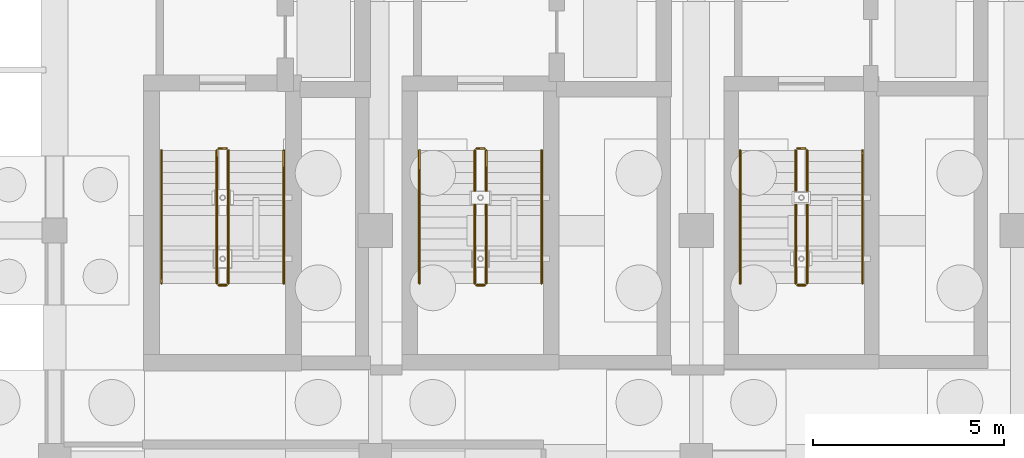
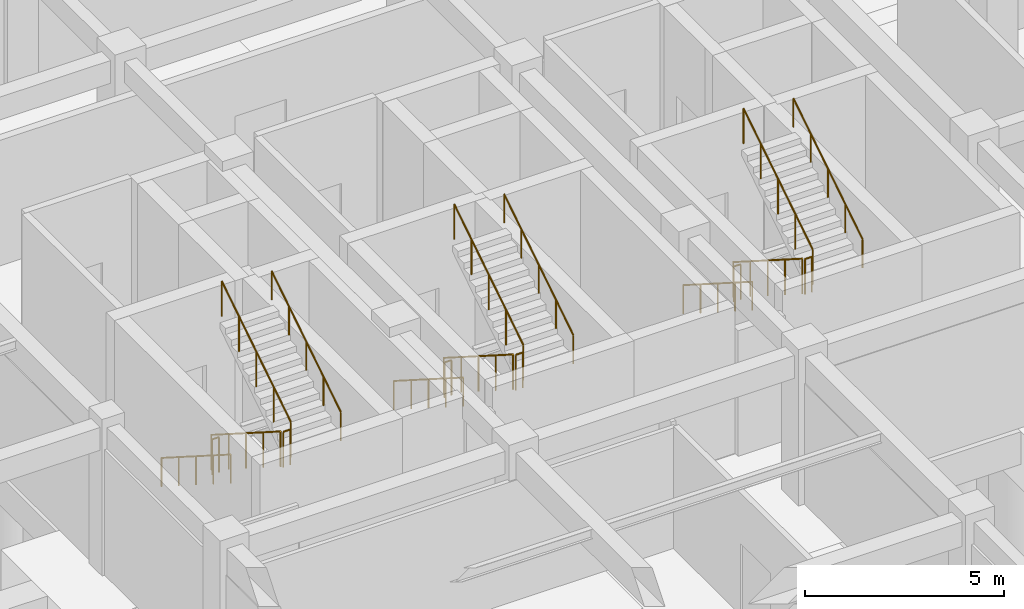
# One storey, part 48 of 49: 18 railings.
"""IFC4 building model written with IfcOpenShell, lengths in metres."""

from ifc_helpers import new_model, si_unit, direction, frame, origin, origin_2d, place, context, subcontext, project, spatial, circle, extrude, material, type_object, element, save


model = new_model("IFC4")

# Units and contexts
model_context = context("Model", 3, precision=1e-05, world=origin(), true_north=direction((0.0, 1.0)))
body_context = subcontext(model_context, "Body", "Model", "MODEL_VIEW")
ifc_project = project(units=[si_unit("LENGTHUNIT", "METRE"), si_unit("AREAUNIT", "SQUARE_METRE"), si_unit("VOLUMEUNIT", "CUBIC_METRE"), si_unit("PLANEANGLEUNIT", "RADIAN"), si_unit("MASSUNIT", "GRAM", prefix="KILO")], contexts=[model_context])

# Site, building, storey
site_placement = place(None, origin())
site = spatial("IfcSite", under=ifc_project, at=site_placement, CompositionType="ELEMENT")
building_placement = place(site_placement, origin())
building = spatial("IfcBuilding", under=site, at=building_placement, Name="Krzemoval Escarpment Law Courts", CompositionType="ELEMENT")
storey_placement = place(building_placement, frame((0.0, 0.0, -4.800048828125)))
storey = spatial("IfcBuildingStorey", under=building, at=storey_placement, Name="B1", CompositionType="ELEMENT", Elevation=-4.800048828125)

# Railings
ifc_material_1 = material(Name="Galvanised Steel S355", Category="steel")
railing_type_1 = type_object("IfcRailingType", Name="RL-GRD-1100", PredefinedType="GUARDRAIL", material=ifc_material_1)
railing_1_placement = place(storey_placement, frame((130.25, 101.699951171875, 0.1845703125)))
element("IfcRailing", 1, at=railing_1_placement, inside=storey, type_object=railing_type_1, Name="B1 ST1 stair guard 1", PredefinedType="GUARDRAIL", context=body_context, shape_type="SweptSolid", body=[
    extrude(circle(Radius=0.02392578125, at=origin_2d()), frame((0.0, 0.0, 1.076171875), z_axis=(0.0, -0.843546938479, 0.53705545578), x_axis=(1.0, 0.0, 0.0)), (0.0, 0.0, 1.0), 4.12548828125),
    extrude(circle(Radius=0.02099609375, at=origin_2d()), origin(), (0.0, 0.0, 1.0), 1.052001953125),
    extrude(circle(Radius=0.02099609375, at=origin_2d()), frame((0.0, -0.8701171875, 0.553955078125)), (0.0, 0.0, 1.0), 1.052001953125),
    extrude(circle(Radius=0.02099609375, at=origin_2d()), frame((0.0, -1.739990234375, 1.10791015625)), (0.0, 0.0, 1.0), 1.052001953125),
    extrude(circle(Radius=0.02099609375, at=origin_2d()), frame((0.0, -2.60986328125, 1.66162109375)), (0.0, 0.0, 1.0), 1.052001953125),
    extrude(circle(Radius=0.02099609375, at=origin_2d()), frame((0.0, -3.47998046875, 2.215576171875)), (0.0, 0.0, 1.0), 1.052001953125),
])
railing_2_placement = place(storey_placement, frame((130.300048828125, 98.169921875, 2.400146484375)))
element("IfcRailing", 2, at=railing_2_placement, inside=storey, type_object=railing_type_1, Name="B1 ST1 stair guard 2", PredefinedType="GUARDRAIL", context=body_context, shape_type="SweptSolid", body=[
    extrude(circle(Radius=0.02392578125, at=origin_2d()), frame((0.0, 0.0, 1.076171875), z_axis=(1.0, 0.0, 0.0), x_axis=(0.0, 1.0, 0.0)), (0.0, 0.0, 1.0), 0.199951171875),
    extrude(circle(Radius=0.02099609375, at=origin_2d()), origin(), (0.0, 0.0, 1.0), 1.052001953125),
    extrude(circle(Radius=0.02099609375, at=origin_2d()), frame((0.199951171875, 0.0, 0.0)), (0.0, 0.0, 1.0), 1.052001953125),
])
railing_3_placement = place(storey_placement, frame((130.550048828125, 98.219970703125, 2.584716796875)))
element("IfcRailing", 3, at=railing_3_placement, inside=storey, type_object=railing_type_1, Name="B1 ST1 stair guard 3", PredefinedType="GUARDRAIL", context=body_context, shape_type="SweptSolid", body=[
    extrude(circle(Radius=0.02392578125, at=origin_2d()), frame((0.0, 0.0, 1.076171875), z_axis=(0.0, 0.843573748531, 0.537013343214), x_axis=(-1.0, 0.0, 0.0)), (0.0, 0.0, 1.0), 4.125244140625),
    extrude(circle(Radius=0.02099609375, at=origin_2d()), origin(), (0.0, 0.0, 1.0), 1.052001953125),
    extrude(circle(Radius=0.02099609375, at=origin_2d()), frame((0.0, 0.8701171875, 0.5537109375)), (0.0, 0.0, 1.0), 1.052001953125),
    extrude(circle(Radius=0.02099609375, at=origin_2d()), frame((0.0, 1.739990234375, 1.107666015625)), (0.0, 0.0, 1.0), 1.052001953125),
    extrude(circle(Radius=0.02099609375, at=origin_2d()), frame((0.0, 2.60986328125, 1.66162109375)), (0.0, 0.0, 1.0), 1.052001953125),
    extrude(circle(Radius=0.02099609375, at=origin_2d()), frame((0.0, 3.47998046875, 2.21533203125)), (0.0, 0.0, 1.0), 1.052001953125),
])
railing_4_placement = place(storey_placement, frame((130.300048828125, 101.75, 0.0)))
element("IfcRailing", 4, at=railing_4_placement, inside=storey, type_object=railing_type_1, Name="B1 ST1 stair guard 4", PredefinedType="GUARDRAIL", context=body_context, shape_type="SweptSolid", body=[
    extrude(circle(Radius=0.02392578125, at=origin_2d()), frame((0.0, 0.0, 1.076171875), z_axis=(1.0, 0.0, 0.0), x_axis=(0.0, 1.0, 0.0)), (0.0, 0.0, 1.0), 0.199951171875),
    extrude(circle(Radius=0.02099609375, at=origin_2d()), origin(), (0.0, 0.0, 1.0), 1.052001953125),
    extrude(circle(Radius=0.02099609375, at=origin_2d()), frame((0.199951171875, 0.0, 0.0)), (0.0, 0.0, 1.0), 1.052001953125),
])
railing_5_placement = place(storey_placement, frame((137.0, 101.699951171875, 0.1845703125)))
element("IfcRailing", 5, at=railing_5_placement, inside=storey, type_object=railing_type_1, Name="B1 ST2 stair guard 1", PredefinedType="GUARDRAIL", context=body_context, shape_type="SweptSolid", body=[
    extrude(circle(Radius=0.02392578125, at=origin_2d()), frame((0.0, 0.0, 1.076171875), z_axis=(0.0, -0.843546938479, 0.53705545578), x_axis=(1.0, 0.0, 0.0)), (0.0, 0.0, 1.0), 4.12548828125),
    extrude(circle(Radius=0.02099609375, at=origin_2d()), origin(), (0.0, 0.0, 1.0), 1.052001953125),
    extrude(circle(Radius=0.02099609375, at=origin_2d()), frame((0.0, -0.8701171875, 0.553955078125)), (0.0, 0.0, 1.0), 1.052001953125),
    extrude(circle(Radius=0.02099609375, at=origin_2d()), frame((0.0, -1.739990234375, 1.10791015625)), (0.0, 0.0, 1.0), 1.052001953125),
    extrude(circle(Radius=0.02099609375, at=origin_2d()), frame((0.0, -2.60986328125, 1.66162109375)), (0.0, 0.0, 1.0), 1.052001953125),
    extrude(circle(Radius=0.02099609375, at=origin_2d()), frame((0.0, -3.47998046875, 2.215576171875)), (0.0, 0.0, 1.0), 1.052001953125),
])
railing_6_placement = place(storey_placement, frame((137.050048828125, 98.169921875, 2.400146484375)))
element("IfcRailing", 6, at=railing_6_placement, inside=storey, type_object=railing_type_1, Name="B1 ST2 stair guard 2", PredefinedType="GUARDRAIL", context=body_context, shape_type="SweptSolid", body=[
    extrude(circle(Radius=0.02392578125, at=origin_2d()), frame((0.0, 0.0, 1.076171875), z_axis=(1.0, 0.0, 0.0), x_axis=(0.0, 1.0, 0.0)), (0.0, 0.0, 1.0), 0.199951171875),
    extrude(circle(Radius=0.02099609375, at=origin_2d()), origin(), (0.0, 0.0, 1.0), 1.052001953125),
    extrude(circle(Radius=0.02099609375, at=origin_2d()), frame((0.199951171875, 0.0, 0.0)), (0.0, 0.0, 1.0), 1.052001953125),
])
railing_7_placement = place(storey_placement, frame((137.300048828125, 98.219970703125, 2.584716796875)))
element("IfcRailing", 7, at=railing_7_placement, inside=storey, type_object=railing_type_1, Name="B1 ST2 stair guard 3", PredefinedType="GUARDRAIL", context=body_context, shape_type="SweptSolid", body=[
    extrude(circle(Radius=0.02392578125, at=origin_2d()), frame((0.0, 0.0, 1.076171875), z_axis=(0.0, 0.843573748531, 0.537013343214), x_axis=(-1.0, 0.0, 0.0)), (0.0, 0.0, 1.0), 4.125244140625),
    extrude(circle(Radius=0.02099609375, at=origin_2d()), origin(), (0.0, 0.0, 1.0), 1.052001953125),
    extrude(circle(Radius=0.02099609375, at=origin_2d()), frame((0.0, 0.8701171875, 0.5537109375)), (0.0, 0.0, 1.0), 1.052001953125),
    extrude(circle(Radius=0.02099609375, at=origin_2d()), frame((0.0, 1.739990234375, 1.107666015625)), (0.0, 0.0, 1.0), 1.052001953125),
    extrude(circle(Radius=0.02099609375, at=origin_2d()), frame((0.0, 2.60986328125, 1.66162109375)), (0.0, 0.0, 1.0), 1.052001953125),
    extrude(circle(Radius=0.02099609375, at=origin_2d()), frame((0.0, 3.47998046875, 2.21533203125)), (0.0, 0.0, 1.0), 1.052001953125),
])
railing_8_placement = place(storey_placement, frame((137.050048828125, 101.75, 0.0)))
element("IfcRailing", 8, at=railing_8_placement, inside=storey, type_object=railing_type_1, Name="B1 ST2 stair guard 4", PredefinedType="GUARDRAIL", context=body_context, shape_type="SweptSolid", body=[
    extrude(circle(Radius=0.02392578125, at=origin_2d()), frame((0.0, 0.0, 1.076171875), z_axis=(1.0, 0.0, 0.0), x_axis=(0.0, 1.0, 0.0)), (0.0, 0.0, 1.0), 0.199951171875),
    extrude(circle(Radius=0.02099609375, at=origin_2d()), origin(), (0.0, 0.0, 1.0), 1.052001953125),
    extrude(circle(Radius=0.02099609375, at=origin_2d()), frame((0.199951171875, 0.0, 0.0)), (0.0, 0.0, 1.0), 1.052001953125),
])
railing_9_placement = place(storey_placement, frame((145.39990234375, 101.699951171875, 0.1845703125)))
element("IfcRailing", 9, at=railing_9_placement, inside=storey, type_object=railing_type_1, Name="B1 ST3 stair guard 1", PredefinedType="GUARDRAIL", context=body_context, shape_type="SweptSolid", body=[
    extrude(circle(Radius=0.02392578125, at=origin_2d()), frame((0.0, 0.0, 1.076171875), z_axis=(0.0, -0.843546938479, 0.53705545578), x_axis=(1.0, 0.0, 0.0)), (0.0, 0.0, 1.0), 4.12548828125),
    extrude(circle(Radius=0.02099609375, at=origin_2d()), origin(), (0.0, 0.0, 1.0), 1.052001953125),
    extrude(circle(Radius=0.02099609375, at=origin_2d()), frame((0.0, -0.8701171875, 0.553955078125)), (0.0, 0.0, 1.0), 1.052001953125),
    extrude(circle(Radius=0.02099609375, at=origin_2d()), frame((0.0, -1.739990234375, 1.10791015625)), (0.0, 0.0, 1.0), 1.052001953125),
    extrude(circle(Radius=0.02099609375, at=origin_2d()), frame((0.0, -2.60986328125, 1.66162109375)), (0.0, 0.0, 1.0), 1.052001953125),
    extrude(circle(Radius=0.02099609375, at=origin_2d()), frame((0.0, -3.47998046875, 2.215576171875)), (0.0, 0.0, 1.0), 1.052001953125),
])
railing_10_placement = place(storey_placement, frame((145.449951171875, 98.169921875, 2.400146484375)))
element("IfcRailing", 10, at=railing_10_placement, inside=storey, type_object=railing_type_1, Name="B1 ST3 stair guard 2", PredefinedType="GUARDRAIL", context=body_context, shape_type="SweptSolid", body=[
    extrude(circle(Radius=0.02392578125, at=origin_2d()), frame((0.0, 0.0, 1.076171875), z_axis=(1.0, 0.0, 0.0), x_axis=(0.0, 1.0, 0.0)), (0.0, 0.0, 1.0), 0.199951171875),
    extrude(circle(Radius=0.02099609375, at=origin_2d()), origin(), (0.0, 0.0, 1.0), 1.052001953125),
    extrude(circle(Radius=0.02099609375, at=origin_2d()), frame((0.199951171875, 0.0, 0.0)), (0.0, 0.0, 1.0), 1.052001953125),
])
railing_11_placement = place(storey_placement, frame((145.699951171875, 98.219970703125, 2.584716796875)))
element("IfcRailing", 11, at=railing_11_placement, inside=storey, type_object=railing_type_1, Name="B1 ST3 stair guard 3", PredefinedType="GUARDRAIL", context=body_context, shape_type="SweptSolid", body=[
    extrude(circle(Radius=0.02392578125, at=origin_2d()), frame((0.0, 0.0, 1.076171875), z_axis=(0.0, 0.843573748531, 0.537013343214), x_axis=(-1.0, 0.0, 0.0)), (0.0, 0.0, 1.0), 4.125244140625),
    extrude(circle(Radius=0.02099609375, at=origin_2d()), origin(), (0.0, 0.0, 1.0), 1.052001953125),
    extrude(circle(Radius=0.02099609375, at=origin_2d()), frame((0.0, 0.8701171875, 0.5537109375)), (0.0, 0.0, 1.0), 1.052001953125),
    extrude(circle(Radius=0.02099609375, at=origin_2d()), frame((0.0, 1.739990234375, 1.107666015625)), (0.0, 0.0, 1.0), 1.052001953125),
    extrude(circle(Radius=0.02099609375, at=origin_2d()), frame((0.0, 2.60986328125, 1.66162109375)), (0.0, 0.0, 1.0), 1.052001953125),
    extrude(circle(Radius=0.02099609375, at=origin_2d()), frame((0.0, 3.47998046875, 2.21533203125)), (0.0, 0.0, 1.0), 1.052001953125),
])
railing_12_placement = place(storey_placement, frame((145.449951171875, 101.75, 0.0)))
element("IfcRailing", 12, at=railing_12_placement, inside=storey, type_object=railing_type_1, Name="B1 ST3 stair guard 4", PredefinedType="GUARDRAIL", context=body_context, shape_type="SweptSolid", body=[
    extrude(circle(Radius=0.02392578125, at=origin_2d()), frame((0.0, 0.0, 1.076171875), z_axis=(1.0, 0.0, 0.0), x_axis=(0.0, 1.0, 0.0)), (0.0, 0.0, 1.0), 0.199951171875),
    extrude(circle(Radius=0.02099609375, at=origin_2d()), origin(), (0.0, 0.0, 1.0), 1.052001953125),
    extrude(circle(Radius=0.02099609375, at=origin_2d()), frame((0.199951171875, 0.0, 0.0)), (0.0, 0.0, 1.0), 1.052001953125),
])
ifc_material_2 = material(Name="Brushed Stainless Steel Grade 304 Handrail", Category="steel")
railing_type_2 = type_object("IfcRailingType", Name="RL-HND-900", PredefinedType="HANDRAIL", material=ifc_material_2)
railing_13_placement = place(storey_placement, frame((128.800048828125, 101.699951171875, 0.1845703125)))
element("IfcRailing", 13, at=railing_13_placement, inside=storey, type_object=railing_type_2, Name="B1 ST1 stair handrail 1", PredefinedType="HANDRAIL", context=body_context, shape_type="SweptSolid", body=[
    extrude(circle(Radius=0.02392578125, at=origin_2d()), frame((0.0, 0.0, 0.8759765625), z_axis=(0.0, -0.843546938479, 0.53705545578), x_axis=(1.0, 0.0, 0.0)), (0.0, 0.0, 1.0), 4.12548828125),
    extrude(circle(Radius=0.02099609375, at=origin_2d()), origin(), (0.0, 0.0, 1.0), 0.851806640625),
    extrude(circle(Radius=0.02099609375, at=origin_2d()), frame((0.0, -0.8701171875, 0.553955078125)), (0.0, 0.0, 1.0), 0.851806640625),
    extrude(circle(Radius=0.02099609375, at=origin_2d()), frame((0.0, -1.739990234375, 1.10791015625)), (0.0, 0.0, 1.0), 0.851806640625),
    extrude(circle(Radius=0.02099609375, at=origin_2d()), frame((0.0, -2.60986328125, 1.66162109375)), (0.0, 0.0, 1.0), 0.851806640625),
    extrude(circle(Radius=0.02099609375, at=origin_2d()), frame((0.0, -3.47998046875, 2.215576171875)), (0.0, 0.0, 1.0), 0.851806640625),
])
railing_14_placement = place(storey_placement, frame((132.0, 98.219970703125, 2.584716796875)))
element("IfcRailing", 14, at=railing_14_placement, inside=storey, type_object=railing_type_2, Name="B1 ST1 stair handrail 2", PredefinedType="HANDRAIL", context=body_context, shape_type="SweptSolid", body=[
    extrude(circle(Radius=0.02392578125, at=origin_2d()), frame((0.0, 0.0, 0.8759765625), z_axis=(0.0, 0.843573748531, 0.537013343214), x_axis=(-1.0, 0.0, 0.0)), (0.0, 0.0, 1.0), 4.125244140625),
    extrude(circle(Radius=0.02099609375, at=origin_2d()), origin(), (0.0, 0.0, 1.0), 0.851806640625),
    extrude(circle(Radius=0.02099609375, at=origin_2d()), frame((0.0, 0.8701171875, 0.5537109375)), (0.0, 0.0, 1.0), 0.851806640625),
    extrude(circle(Radius=0.02099609375, at=origin_2d()), frame((0.0, 1.739990234375, 1.107666015625)), (0.0, 0.0, 1.0), 0.851806640625),
    extrude(circle(Radius=0.02099609375, at=origin_2d()), frame((0.0, 2.60986328125, 1.66162109375)), (0.0, 0.0, 1.0), 0.851806640625),
    extrude(circle(Radius=0.02099609375, at=origin_2d()), frame((0.0, 3.47998046875, 2.21533203125)), (0.0, 0.0, 1.0), 0.851806640625),
])
railing_15_placement = place(storey_placement, frame((135.550048828125, 101.699951171875, 0.1845703125)))
element("IfcRailing", 15, at=railing_15_placement, inside=storey, type_object=railing_type_2, Name="B1 ST2 stair handrail 1", PredefinedType="HANDRAIL", context=body_context, shape_type="SweptSolid", body=[
    extrude(circle(Radius=0.02392578125, at=origin_2d()), frame((0.0, 0.0, 0.8759765625), z_axis=(0.0, -0.843546938479, 0.53705545578), x_axis=(1.0, 0.0, 0.0)), (0.0, 0.0, 1.0), 4.12548828125),
    extrude(circle(Radius=0.02099609375, at=origin_2d()), origin(), (0.0, 0.0, 1.0), 0.851806640625),
    extrude(circle(Radius=0.02099609375, at=origin_2d()), frame((0.0, -0.8701171875, 0.553955078125)), (0.0, 0.0, 1.0), 0.851806640625),
    extrude(circle(Radius=0.02099609375, at=origin_2d()), frame((0.0, -1.739990234375, 1.10791015625)), (0.0, 0.0, 1.0), 0.851806640625),
    extrude(circle(Radius=0.02099609375, at=origin_2d()), frame((0.0, -2.60986328125, 1.66162109375)), (0.0, 0.0, 1.0), 0.851806640625),
    extrude(circle(Radius=0.02099609375, at=origin_2d()), frame((0.0, -3.47998046875, 2.215576171875)), (0.0, 0.0, 1.0), 0.851806640625),
])
railing_16_placement = place(storey_placement, frame((138.75, 98.219970703125, 2.584716796875)))
element("IfcRailing", 16, at=railing_16_placement, inside=storey, type_object=railing_type_2, Name="B1 ST2 stair handrail 2", PredefinedType="HANDRAIL", context=body_context, shape_type="SweptSolid", body=[
    extrude(circle(Radius=0.02392578125, at=origin_2d()), frame((0.0, 0.0, 0.8759765625), z_axis=(0.0, 0.843573748531, 0.537013343214), x_axis=(-1.0, 0.0, 0.0)), (0.0, 0.0, 1.0), 4.125244140625),
    extrude(circle(Radius=0.02099609375, at=origin_2d()), origin(), (0.0, 0.0, 1.0), 0.851806640625),
    extrude(circle(Radius=0.02099609375, at=origin_2d()), frame((0.0, 0.8701171875, 0.5537109375)), (0.0, 0.0, 1.0), 0.851806640625),
    extrude(circle(Radius=0.02099609375, at=origin_2d()), frame((0.0, 1.739990234375, 1.107666015625)), (0.0, 0.0, 1.0), 0.851806640625),
    extrude(circle(Radius=0.02099609375, at=origin_2d()), frame((0.0, 2.60986328125, 1.66162109375)), (0.0, 0.0, 1.0), 0.851806640625),
    extrude(circle(Radius=0.02099609375, at=origin_2d()), frame((0.0, 3.47998046875, 2.21533203125)), (0.0, 0.0, 1.0), 0.851806640625),
])
railing_17_placement = place(storey_placement, frame((143.949951171875, 101.699951171875, 0.1845703125)))
element("IfcRailing", 17, at=railing_17_placement, inside=storey, type_object=railing_type_2, Name="B1 ST3 stair handrail 1", PredefinedType="HANDRAIL", context=body_context, shape_type="SweptSolid", body=[
    extrude(circle(Radius=0.02392578125, at=origin_2d()), frame((0.0, 0.0, 0.8759765625), z_axis=(0.0, -0.843546938479, 0.53705545578), x_axis=(1.0, 0.0, 0.0)), (0.0, 0.0, 1.0), 4.12548828125),
    extrude(circle(Radius=0.02099609375, at=origin_2d()), origin(), (0.0, 0.0, 1.0), 0.851806640625),
    extrude(circle(Radius=0.02099609375, at=origin_2d()), frame((0.0, -0.8701171875, 0.553955078125)), (0.0, 0.0, 1.0), 0.851806640625),
    extrude(circle(Radius=0.02099609375, at=origin_2d()), frame((0.0, -1.739990234375, 1.10791015625)), (0.0, 0.0, 1.0), 0.851806640625),
    extrude(circle(Radius=0.02099609375, at=origin_2d()), frame((0.0, -2.60986328125, 1.66162109375)), (0.0, 0.0, 1.0), 0.851806640625),
    extrude(circle(Radius=0.02099609375, at=origin_2d()), frame((0.0, -3.47998046875, 2.215576171875)), (0.0, 0.0, 1.0), 0.851806640625),
])
railing_18_placement = place(storey_placement, frame((147.14990234375, 98.219970703125, 2.584716796875)))
element("IfcRailing", 18, at=railing_18_placement, inside=storey, type_object=railing_type_2, Name="B1 ST3 stair handrail 2", PredefinedType="HANDRAIL", context=body_context, shape_type="SweptSolid", body=[
    extrude(circle(Radius=0.02392578125, at=origin_2d()), frame((0.0, 0.0, 0.8759765625), z_axis=(0.0, 0.843573748531, 0.537013343214), x_axis=(-1.0, 0.0, 0.0)), (0.0, 0.0, 1.0), 4.125244140625),
    extrude(circle(Radius=0.02099609375, at=origin_2d()), origin(), (0.0, 0.0, 1.0), 0.851806640625),
    extrude(circle(Radius=0.02099609375, at=origin_2d()), frame((0.0, 0.8701171875, 0.5537109375)), (0.0, 0.0, 1.0), 0.851806640625),
    extrude(circle(Radius=0.02099609375, at=origin_2d()), frame((0.0, 1.739990234375, 1.107666015625)), (0.0, 0.0, 1.0), 0.851806640625),
    extrude(circle(Radius=0.02099609375, at=origin_2d()), frame((0.0, 2.60986328125, 1.66162109375)), (0.0, 0.0, 1.0), 0.851806640625),
    extrude(circle(Radius=0.02099609375, at=origin_2d()), frame((0.0, 3.47998046875, 2.21533203125)), (0.0, 0.0, 1.0), 0.851806640625),
])

save(model, "model.ifc")
